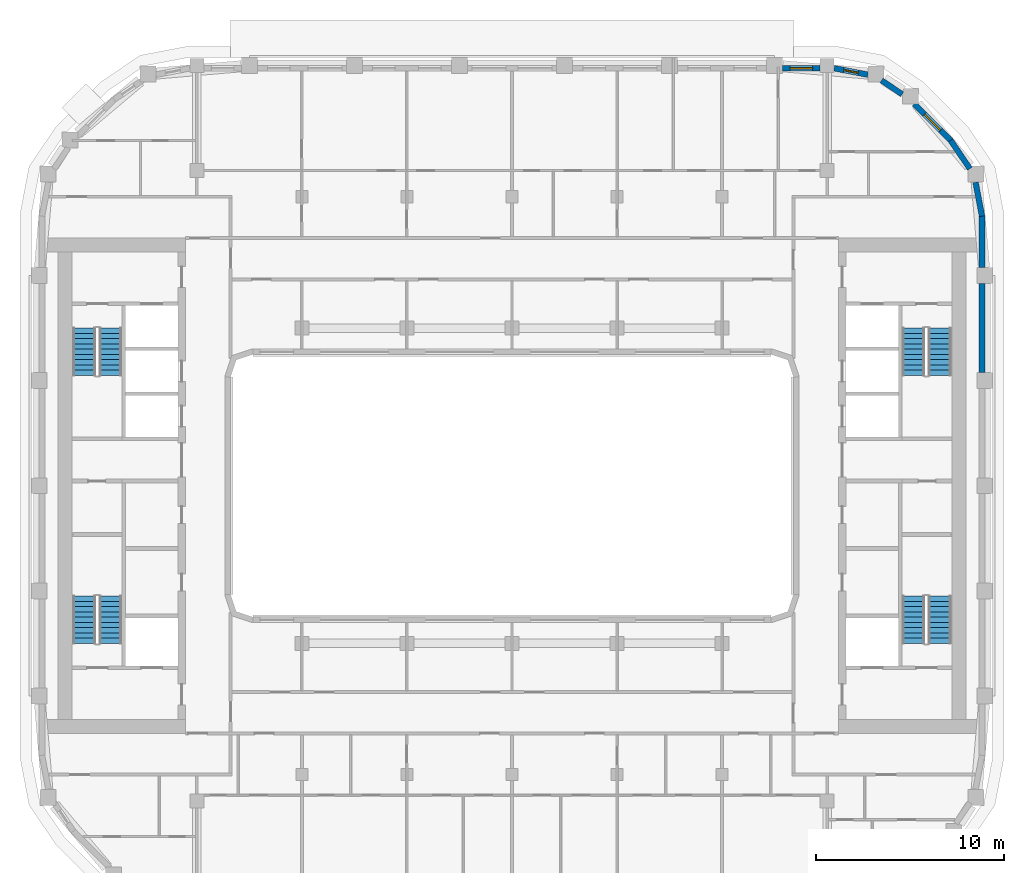
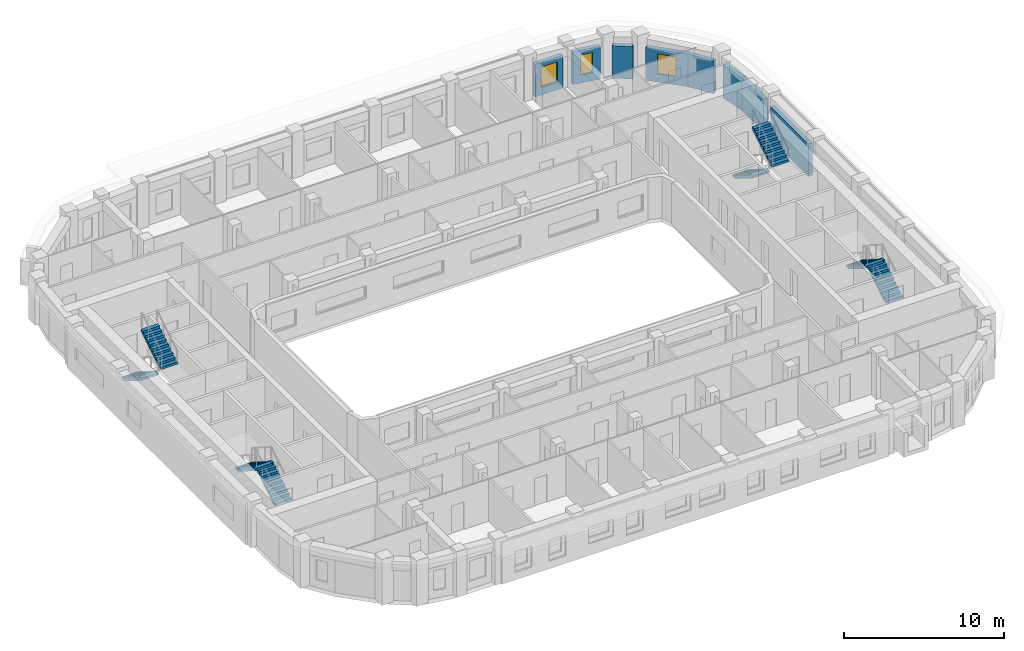
# One storey, part 9 of 21: 8 stair flights, 8 walls, 3 windows, 3 openings, 4 elements without a shape of their own.
"""IFC4 building model written with IfcOpenShell, lengths in metres."""

from ifc_helpers import new_model, si_unit, direction, frame, frame_2d, origin, place, context, subcontext, project, spatial, polyline, rectangle, outline, extrude, material, layer, layer_set, type_object, element, fill, aggregate, save


model = new_model("IFC4")

# Units and contexts
model_context = context("Model", 3, precision=1e-05, world=origin(), true_north=direction((0.0, 1.0)))
body_context = subcontext(model_context, "Body", "Model", "MODEL_VIEW")
ifc_project = project(units=[si_unit("LENGTHUNIT", "METRE"), si_unit("AREAUNIT", "SQUARE_METRE"), si_unit("VOLUMEUNIT", "CUBIC_METRE"), si_unit("PLANEANGLEUNIT", "RADIAN"), si_unit("MASSUNIT", "GRAM", prefix="KILO")], contexts=[model_context])

# Site, building, storey
site_placement = place(None, origin())
site = spatial("IfcSite", under=ifc_project, at=site_placement, CompositionType="ELEMENT")
building_placement = place(site_placement, origin())
building = spatial("IfcBuilding", under=site, at=building_placement, Name="Kiln Ring Residences", CompositionType="ELEMENT")
storey_placement = place(building_placement, frame((0.0, 0.0, 216.89990234375)))
storey = spatial("IfcBuildingStorey", under=building, at=storey_placement, Name="L56", CompositionType="ELEMENT", Elevation=216.89990234375)

# Walls
ifc_material_1 = material(Name="Brick masonry, dark clay brick", Category="masonry")
ifc_layer = layer(ifc_material_1, 0.300048828125)
ifc_layer_set = layer_set([ifc_layer], Name="EW-300 BRICK WALL")
wall_type = type_object("IfcWallType", Name="EW-300 BRICK WALL", PredefinedType="SOLIDWALL", material=ifc_layer_set)
wall_1_placement = place(storey_placement, frame((25.050048828125, 6.02490234375, 0.0), z_axis=(0.0, 0.0, 1.0), x_axis=(0.0, 1.0, 0.0)))
element("IfcWall", 1, at=wall_1_placement, inside=storey, type_object=wall_type, Name="Facade wall L56 20", PredefinedType="SOLIDWALL", context=body_context, shape_type="SweptSolid", body=[
    extrude(rectangle(XDim=4.75, YDim=0.300048828125, at=frame_2d((2.375, 0.0))), origin(), (0.0, 0.0, 1.0), 2.5),
])
wall_2_placement = place(storey_placement, frame((25.050048828125, 11.625, 0.0), z_axis=(0.0, 0.0, 1.0), x_axis=(0.0, 1.0, 0.0)))
element("IfcWall", 2, at=wall_2_placement, inside=storey, type_object=wall_type, Name="Facade wall L56 21", PredefinedType="SOLIDWALL", context=body_context, shape_type="SweptSolid", body=[
    extrude(rectangle(XDim=2.77490234375, YDim=0.300048828125, at=frame_2d((1.387451171875, 0.0))), origin(), (0.0, 0.0, 1.0), 2.5),
])
for number, where, z_axis, x_axis, name in (
    (3, (25.052734375, 14.371826171875, 0.0), (0.0, 0.0, 1.0), (-0.187442908742, 0.982275499014, 0.0), "Facade wall L56 22"),
    (4, (24.408203125, 16.898193359375, 0.0), (0.0, 0.0, 1.0), (-0.562062033417, 0.827095079535, 0.0), "Facade wall L56 23"),
):
    element("IfcWall", number, at=place(storey_placement, frame(where, z_axis=z_axis, x_axis=x_axis)), inside=storey, type_object=wall_type, Name=name, PredefinedType="SOLIDWALL", context=body_context, shape_type="SweptSolid", body=[
        extrude(rectangle(XDim=1.831298828125, YDim=0.300048828125, at=frame_2d((0.91552734375, 0.0))), origin(), (0.0, 0.0, 1.0), 2.5),
    ])

# Wall, opening, window
wall_3_placement = place(storey_placement, frame((23.39697265625, 18.390869140625, 0.0), z_axis=(0.0, 0.0, 1.0), x_axis=(-0.707106781187, 0.707106781187, 0.0)))
wall_3 = element("IfcWall", 5, at=wall_3_placement, inside=storey, type_object=wall_type, Name="Facade wall L56 24", PredefinedType="SOLIDWALL", context=body_context, shape_type="SweptSolid", body=[
    extrude(rectangle(XDim=2.775146484375, YDim=0.300048828125, at=frame_2d((1.3876953125, 0.0))), origin(), (0.0, 0.0, 1.0), 2.5),
])
opening_1_placement = place(wall_3_placement, frame((0.78759765625, 0.0, 0.60009765625)))
opening_1 = element("IfcOpeningElement", 6, at=opening_1_placement, cuts=wall_3, Name="Opening W1", PredefinedType="OPENING", context=body_context, shape_type="SweptSolid", body=[
    extrude(rectangle(XDim=1.199951171875, YDim=1.550048828125, at=frame_2d((0.60009765625, 0.77490234375))), frame((0.0, 0.159912109375, 0.0), z_axis=(0.0, -1.0, 0.0), x_axis=(1.0, 0.0, 0.0)), (0.0, 0.0, 1.0), 0.320068359375),
])
ifc_material_2 = material(Name="Aluminium frame with double glazing", Category="aluminium")
window_type_1 = type_object("IfcWindowType", Name="WINDOW 1200 x 1550", PartitioningType="SINGLE_PANEL", PredefinedType="WINDOW", material=ifc_material_2)
window_1_placement = place(opening_1_placement, origin())
window_1 = element("IfcWindow", 7, at=window_1_placement, inside=storey, type_object=window_type_1, Name="Window L56 17", OverallHeight=1.550048828125, OverallWidth=1.199951171875, PartitioningType="SINGLE_PANEL", PredefinedType="WINDOW", context=body_context, shape_type="SweptSolid", body=[
    extrude(rectangle(XDim=1.199951171875, YDim=1.550048828125, at=frame_2d((0.60009765625, 0.77490234375))), frame((0.0, 0.030029296875, 0.0), z_axis=(0.0, -1.0, 0.0), x_axis=(1.0, 0.0, 0.0)), (0.0, 0.0, 1.0), 0.06005859375),
])
fill(opening_1, window_1)

# Wall
wall_4_placement = place(storey_placement, frame((20.7958984375, 20.862060546875, 0.0), z_axis=(0.0, 0.0, 1.0), x_axis=(-0.827035970432, 0.562149004813, 0.0)))
element("IfcWall", 8, at=wall_4_placement, inside=storey, type_object=wall_type, Name="Facade wall L56 25", PredefinedType="SOLIDWALL", context=body_context, shape_type="SweptSolid", body=[
    extrude(rectangle(XDim=1.3271484375, YDim=0.300048828125, at=frame_2d((0.66357421875, 0.0))), origin(), (0.0, 0.0, 1.0), 2.5),
])

# Wall, opening, window
wall_5_placement = place(storey_placement, frame((18.970703125, 21.90966796875, 0.0), z_axis=(0.0, 0.0, 1.0), x_axis=(-0.982300037503, 0.187314271538, 0.0)))
wall_5 = element("IfcWall", 9, at=wall_5_placement, inside=storey, type_object=wall_type, Name="Facade wall L56 26", PredefinedType="SOLIDWALL", context=body_context, shape_type="SweptSolid", body=[
    extrude(rectangle(XDim=1.831298828125, YDim=0.300048828125, at=frame_2d((0.91552734375, 0.0))), origin(), (0.0, 0.0, 1.0), 2.5),
])
opening_2_placement = place(wall_5_placement, frame((0.515625, 0.0, 0.60009765625)))
opening_2 = element("IfcOpeningElement", 10, at=opening_2_placement, cuts=wall_5, Name="Opening W5", PredefinedType="OPENING", context=body_context, shape_type="SweptSolid", body=[
    extrude(rectangle(XDim=0.800048828125, YDim=1.550048828125, at=frame_2d((0.39990234375, 0.77490234375))), frame((0.0, 0.159912109375, 0.0), z_axis=(0.0, -1.0, 0.0), x_axis=(1.0, 0.0, 0.0)), (0.0, 0.0, 1.0), 0.320068359375),
])
ifc_material_3 = material(Name="Aluminium frame with double glazing", Category="aluminium")
window_type_2 = type_object("IfcWindowType", Name="WINDOW 800 x 1550", PartitioningType="SINGLE_PANEL", PredefinedType="WINDOW", material=ifc_material_3)
window_2_placement = place(opening_2_placement, origin())
window_2 = element("IfcWindow", 11, at=window_2_placement, inside=storey, type_object=window_type_2, Name="Window L56 18", OverallHeight=1.550048828125, OverallWidth=0.800048828125, PartitioningType="SINGLE_PANEL", PredefinedType="WINDOW", context=body_context, shape_type="SweptSolid", body=[
    extrude(rectangle(XDim=0.800048828125, YDim=1.550048828125, at=frame_2d((0.39990234375, 0.77490234375))), frame((0.0, 0.030029296875, 0.0), z_axis=(0.0, -1.0, 0.0), x_axis=(1.0, 0.0, 0.0)), (0.0, 0.0, 1.0), 0.06005859375),
])
fill(opening_2, window_2)

wall_6_placement = place(storey_placement, frame((16.425048828125, 22.25, 0.0), z_axis=(0.0, 0.0, 1.0), x_axis=(-1.0, 0.0, 0.0)))
wall_6 = element("IfcWall", 12, at=wall_6_placement, inside=storey, type_object=wall_type, Name="Facade wall L56 27", PredefinedType="SOLIDWALL", context=body_context, shape_type="SweptSolid", body=[
    extrude(rectangle(XDim=2.0, YDim=0.300048828125, at=frame_2d((1.0, 0.0))), origin(), (0.0, 0.0, 1.0), 2.5),
])
opening_3_placement = place(wall_6_placement, frame((0.39990234375, 0.0, 0.60009765625)))
opening_3 = element("IfcOpeningElement", 13, at=opening_3_placement, cuts=wall_6, Name="Opening W1", PredefinedType="OPENING", context=body_context, shape_type="SweptSolid", body=[
    extrude(rectangle(XDim=1.199951171875, YDim=1.550048828125, at=frame_2d((0.60009765625, 0.77490234375))), frame((0.0, 0.159912109375, 0.0), z_axis=(0.0, -1.0, 0.0), x_axis=(1.0, 0.0, 0.0)), (0.0, 0.0, 1.0), 0.320068359375),
])
window_3_placement = place(opening_3_placement, origin())
window_3 = element("IfcWindow", 14, at=window_3_placement, inside=storey, type_object=window_type_1, Name="Window L56 19", OverallHeight=1.550048828125, OverallWidth=1.199951171875, PartitioningType="SINGLE_PANEL", PredefinedType="WINDOW", context=body_context, shape_type="SweptSolid", body=[
    extrude(rectangle(XDim=1.199951171875, YDim=1.550048828125, at=frame_2d((0.60009765625, 0.77490234375))), frame((0.0, 0.030029296875, 0.0), z_axis=(0.0, -1.0, 0.0), x_axis=(1.0, 0.0, 0.0)), (0.0, 0.0, 1.0), 0.06005859375),
])
fill(opening_3, window_3)

# Stair, stair flights
ifc_material_4 = material(Name="Concrete C40/50", Category="concrete")
stair_type = type_object("IfcStairType", Name="CORE-STAIR", PredefinedType="HALF_TURN_STAIR", material=ifc_material_4)
placement = place(storey_placement, origin())
stair_1 = element("IfcStair", 15, at=placement, inside=storey, type_object=stair_type, Name="L56 stair W-STN", PredefinedType="HALF_TURN_STAIR")
ifc_material_5 = material(Name="Concrete C40/50", Category="concrete")
stair_flight_type = type_object("IfcStairFlightType", Name="CORE-STAIR-FLIGHT", PredefinedType="STRAIGHT", material=ifc_material_5)
stair_flight_1_placement = place(storey_placement, frame((-22.800048828125, 8.39990234375, 0.0), z_axis=(0.0, 0.0, 1.0), x_axis=(0.0, -1.0, 0.0)))
stair_flight_1 = element("IfcStairFlight", 16, at=stair_flight_1_placement, type_object=stair_flight_type, Name="W-STN flight 1", NumberOfRisers=10, NumberOfTreads=9, PredefinedType="STRAIGHT", RiserHeight=0.175, TreadLength=0.28, context=body_context, shape_type="SweptSolid", body=[
    extrude(outline(polyline([(0.0, 0.0), (0.0, 0.175048828125), (0.280029296875, 0.175048828125), (0.280029296875, 0.35009765625), (0.56005859375, 0.35009765625), (0.56005859375, 0.52490234375), (0.840087890625, 0.52490234375), (0.840087890625, 0.699951171875), (1.1201171875, 0.699951171875), (1.1201171875, 0.875), (1.39990234375, 0.875), (1.39990234375, 1.050048828125), (1.679931640625, 1.050048828125), (1.679931640625, 1.22509765625), (1.9599609375, 1.22509765625), (1.9599609375, 1.39990234375), (2.239990234375, 1.39990234375), (2.239990234375, 1.574951171875), (2.52001953125, 1.574951171875), (2.52001953125, 1.75), (2.52001953125, 1.398193359375), (0.28271484375, 0.0), (0.0, 0.0)])), frame((0.0, 0.60009765625, 0.0), z_axis=(0.0, -1.0, 0.0), x_axis=(1.0, 0.0, 0.0)), (0.0, 0.0, 1.0), 1.199951171875),
])
stair_flight_2_placement = place(storey_placement, frame((-21.39990234375, 5.8798828125, 1.75), z_axis=(0.0, 0.0, 1.0), x_axis=(0.0, 1.0, 0.0)))
stair_flight_2 = element("IfcStairFlight", 17, at=stair_flight_2_placement, type_object=stair_flight_type, Name="W-STN flight 2", NumberOfRisers=10, NumberOfTreads=9, PredefinedType="STRAIGHT", RiserHeight=0.175, TreadLength=0.28, context=body_context, shape_type="SweptSolid", body=[
    extrude(outline(polyline([(0.0, 0.0), (0.0, 0.175048828125), (0.280029296875, 0.175048828125), (0.280029296875, 0.35009765625), (0.56005859375, 0.35009765625), (0.56005859375, 0.52490234375), (0.840087890625, 0.52490234375), (0.840087890625, 0.699951171875), (1.1201171875, 0.699951171875), (1.1201171875, 0.875), (1.39990234375, 0.875), (1.39990234375, 1.050048828125), (1.679931640625, 1.050048828125), (1.679931640625, 1.22509765625), (1.9599609375, 1.22509765625), (1.9599609375, 1.39990234375), (2.239990234375, 1.39990234375), (2.239990234375, 1.574951171875), (2.52001953125, 1.574951171875), (2.52001953125, 1.75), (2.52001953125, 1.398193359375), (0.28271484375, 0.0), (0.0, 0.0)])), frame((0.0, 0.60009765625, 0.0), z_axis=(0.0, -1.0, 0.0), x_axis=(1.0, 0.0, 0.0)), (0.0, 0.0, 1.0), 1.199951171875),
])
aggregate(stair_1, [stair_flight_1, stair_flight_2])

stair_2 = element("IfcStair", 18, at=placement, inside=storey, type_object=stair_type, Name="L56 stair W-STS", PredefinedType="HALF_TURN_STAIR")
stair_flight_3_placement = place(storey_placement, frame((-21.39990234375, -8.39990234375, 0.0), z_axis=(0.0, 0.0, 1.0), x_axis=(0.0, 1.0, 0.0)))
stair_flight_3 = element("IfcStairFlight", 19, at=stair_flight_3_placement, type_object=stair_flight_type, Name="W-STS flight 1", NumberOfRisers=10, NumberOfTreads=9, PredefinedType="STRAIGHT", RiserHeight=0.175, TreadLength=0.28, context=body_context, shape_type="SweptSolid", body=[
    extrude(outline(polyline([(0.0, 0.0), (0.0, 0.175048828125), (0.280029296875, 0.175048828125), (0.280029296875, 0.35009765625), (0.56005859375, 0.35009765625), (0.56005859375, 0.52490234375), (0.840087890625, 0.52490234375), (0.840087890625, 0.699951171875), (1.1201171875, 0.699951171875), (1.1201171875, 0.875), (1.39990234375, 0.875), (1.39990234375, 1.050048828125), (1.679931640625, 1.050048828125), (1.679931640625, 1.22509765625), (1.9599609375, 1.22509765625), (1.9599609375, 1.39990234375), (2.239990234375, 1.39990234375), (2.239990234375, 1.574951171875), (2.52001953125, 1.574951171875), (2.52001953125, 1.75), (2.52001953125, 1.398193359375), (0.28271484375, 0.0), (0.0, 0.0)])), frame((0.0, 0.60009765625, 0.0), z_axis=(0.0, -1.0, 0.0), x_axis=(1.0, 0.0, 0.0)), (0.0, 0.0, 1.0), 1.199951171875),
])
stair_flight_4_placement = place(storey_placement, frame((-22.800048828125, -5.8798828125, 1.75), z_axis=(0.0, 0.0, 1.0), x_axis=(0.0, -1.0, 0.0)))
stair_flight_4 = element("IfcStairFlight", 20, at=stair_flight_4_placement, type_object=stair_flight_type, Name="W-STS flight 2", NumberOfRisers=10, NumberOfTreads=9, PredefinedType="STRAIGHT", RiserHeight=0.175, TreadLength=0.28, context=body_context, shape_type="SweptSolid", body=[
    extrude(outline(polyline([(0.0, 0.0), (0.0, 0.175048828125), (0.280029296875, 0.175048828125), (0.280029296875, 0.35009765625), (0.56005859375, 0.35009765625), (0.56005859375, 0.52490234375), (0.840087890625, 0.52490234375), (0.840087890625, 0.699951171875), (1.1201171875, 0.699951171875), (1.1201171875, 0.875), (1.39990234375, 0.875), (1.39990234375, 1.050048828125), (1.679931640625, 1.050048828125), (1.679931640625, 1.22509765625), (1.9599609375, 1.22509765625), (1.9599609375, 1.39990234375), (2.239990234375, 1.39990234375), (2.239990234375, 1.574951171875), (2.52001953125, 1.574951171875), (2.52001953125, 1.75), (2.52001953125, 1.398193359375), (0.28271484375, 0.0), (0.0, 0.0)])), frame((0.0, 0.60009765625, 0.0), z_axis=(0.0, -1.0, 0.0), x_axis=(1.0, 0.0, 0.0)), (0.0, 0.0, 1.0), 1.199951171875),
])
aggregate(stair_2, [stair_flight_3, stair_flight_4])

stair_3 = element("IfcStair", 21, at=placement, inside=storey, type_object=stair_type, Name="L56 stair E-STN", PredefinedType="HALF_TURN_STAIR")
stair_flight_5_placement = place(storey_placement, frame((21.39990234375, 8.39990234375, 0.0), z_axis=(0.0, 0.0, 1.0), x_axis=(0.0, -1.0, 0.0)))
stair_flight_5 = element("IfcStairFlight", 22, at=stair_flight_5_placement, type_object=stair_flight_type, Name="E-STN flight 1", NumberOfRisers=10, NumberOfTreads=9, PredefinedType="STRAIGHT", RiserHeight=0.175, TreadLength=0.28, context=body_context, shape_type="SweptSolid", body=[
    extrude(outline(polyline([(0.0, 0.0), (0.0, 0.175048828125), (0.280029296875, 0.175048828125), (0.280029296875, 0.35009765625), (0.56005859375, 0.35009765625), (0.56005859375, 0.52490234375), (0.840087890625, 0.52490234375), (0.840087890625, 0.699951171875), (1.1201171875, 0.699951171875), (1.1201171875, 0.875), (1.39990234375, 0.875), (1.39990234375, 1.050048828125), (1.679931640625, 1.050048828125), (1.679931640625, 1.22509765625), (1.9599609375, 1.22509765625), (1.9599609375, 1.39990234375), (2.239990234375, 1.39990234375), (2.239990234375, 1.574951171875), (2.52001953125, 1.574951171875), (2.52001953125, 1.75), (2.52001953125, 1.398193359375), (0.28271484375, 0.0), (0.0, 0.0)])), frame((0.0, 0.60009765625, 0.0), z_axis=(0.0, -1.0, 0.0), x_axis=(1.0, 0.0, 0.0)), (0.0, 0.0, 1.0), 1.199951171875),
])
stair_flight_6_placement = place(storey_placement, frame((22.800048828125, 5.8798828125, 1.75), z_axis=(0.0, 0.0, 1.0), x_axis=(0.0, 1.0, 0.0)))
stair_flight_6 = element("IfcStairFlight", 23, at=stair_flight_6_placement, type_object=stair_flight_type, Name="E-STN flight 2", NumberOfRisers=10, NumberOfTreads=9, PredefinedType="STRAIGHT", RiserHeight=0.175, TreadLength=0.28, context=body_context, shape_type="SweptSolid", body=[
    extrude(outline(polyline([(0.0, 0.0), (0.0, 0.175048828125), (0.280029296875, 0.175048828125), (0.280029296875, 0.35009765625), (0.56005859375, 0.35009765625), (0.56005859375, 0.52490234375), (0.840087890625, 0.52490234375), (0.840087890625, 0.699951171875), (1.1201171875, 0.699951171875), (1.1201171875, 0.875), (1.39990234375, 0.875), (1.39990234375, 1.050048828125), (1.679931640625, 1.050048828125), (1.679931640625, 1.22509765625), (1.9599609375, 1.22509765625), (1.9599609375, 1.39990234375), (2.239990234375, 1.39990234375), (2.239990234375, 1.574951171875), (2.52001953125, 1.574951171875), (2.52001953125, 1.75), (2.52001953125, 1.398193359375), (0.28271484375, 0.0), (0.0, 0.0)])), frame((0.0, 0.60009765625, 0.0), z_axis=(0.0, -1.0, 0.0), x_axis=(1.0, 0.0, 0.0)), (0.0, 0.0, 1.0), 1.199951171875),
])
aggregate(stair_3, [stair_flight_5, stair_flight_6])

stair_4 = element("IfcStair", 24, at=placement, inside=storey, type_object=stair_type, Name="L56 stair E-STS", PredefinedType="HALF_TURN_STAIR")
stair_flight_7_placement = place(storey_placement, frame((22.800048828125, -8.39990234375, 0.0), z_axis=(0.0, 0.0, 1.0), x_axis=(0.0, 1.0, 0.0)))
stair_flight_7 = element("IfcStairFlight", 25, at=stair_flight_7_placement, type_object=stair_flight_type, Name="E-STS flight 1", NumberOfRisers=10, NumberOfTreads=9, PredefinedType="STRAIGHT", RiserHeight=0.175, TreadLength=0.28, context=body_context, shape_type="SweptSolid", body=[
    extrude(outline(polyline([(0.0, 0.0), (0.0, 0.175048828125), (0.280029296875, 0.175048828125), (0.280029296875, 0.35009765625), (0.56005859375, 0.35009765625), (0.56005859375, 0.52490234375), (0.840087890625, 0.52490234375), (0.840087890625, 0.699951171875), (1.1201171875, 0.699951171875), (1.1201171875, 0.875), (1.39990234375, 0.875), (1.39990234375, 1.050048828125), (1.679931640625, 1.050048828125), (1.679931640625, 1.22509765625), (1.9599609375, 1.22509765625), (1.9599609375, 1.39990234375), (2.239990234375, 1.39990234375), (2.239990234375, 1.574951171875), (2.52001953125, 1.574951171875), (2.52001953125, 1.75), (2.52001953125, 1.398193359375), (0.28271484375, 0.0), (0.0, 0.0)])), frame((0.0, 0.60009765625, 0.0), z_axis=(0.0, -1.0, 0.0), x_axis=(1.0, 0.0, 0.0)), (0.0, 0.0, 1.0), 1.199951171875),
])
stair_flight_8_placement = place(storey_placement, frame((21.39990234375, -5.8798828125, 1.75), z_axis=(0.0, 0.0, 1.0), x_axis=(0.0, -1.0, 0.0)))
stair_flight_8 = element("IfcStairFlight", 26, at=stair_flight_8_placement, type_object=stair_flight_type, Name="E-STS flight 2", NumberOfRisers=10, NumberOfTreads=9, PredefinedType="STRAIGHT", RiserHeight=0.175, TreadLength=0.28, context=body_context, shape_type="SweptSolid", body=[
    extrude(outline(polyline([(0.0, 0.0), (0.0, 0.175048828125), (0.280029296875, 0.175048828125), (0.280029296875, 0.35009765625), (0.56005859375, 0.35009765625), (0.56005859375, 0.52490234375), (0.840087890625, 0.52490234375), (0.840087890625, 0.699951171875), (1.1201171875, 0.699951171875), (1.1201171875, 0.875), (1.39990234375, 0.875), (1.39990234375, 1.050048828125), (1.679931640625, 1.050048828125), (1.679931640625, 1.22509765625), (1.9599609375, 1.22509765625), (1.9599609375, 1.39990234375), (2.239990234375, 1.39990234375), (2.239990234375, 1.574951171875), (2.52001953125, 1.574951171875), (2.52001953125, 1.75), (2.52001953125, 1.398193359375), (0.28271484375, 0.0), (0.0, 0.0)])), frame((0.0, 0.60009765625, 0.0), z_axis=(0.0, -1.0, 0.0), x_axis=(1.0, 0.0, 0.0)), (0.0, 0.0, 1.0), 1.199951171875),
])
aggregate(stair_4, [stair_flight_7, stair_flight_8])

save(model, "model.ifc")
